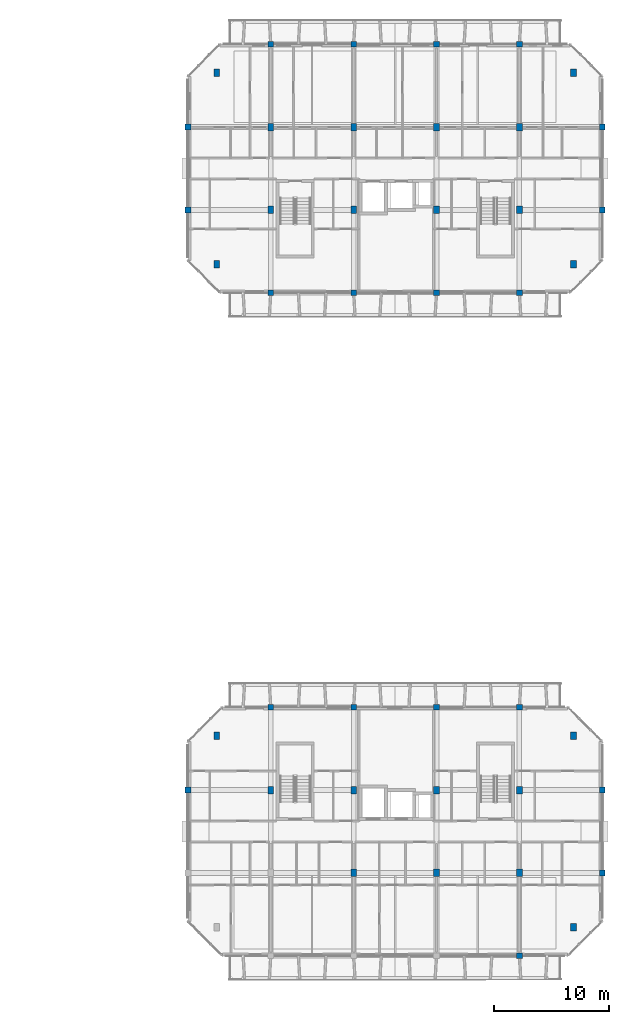
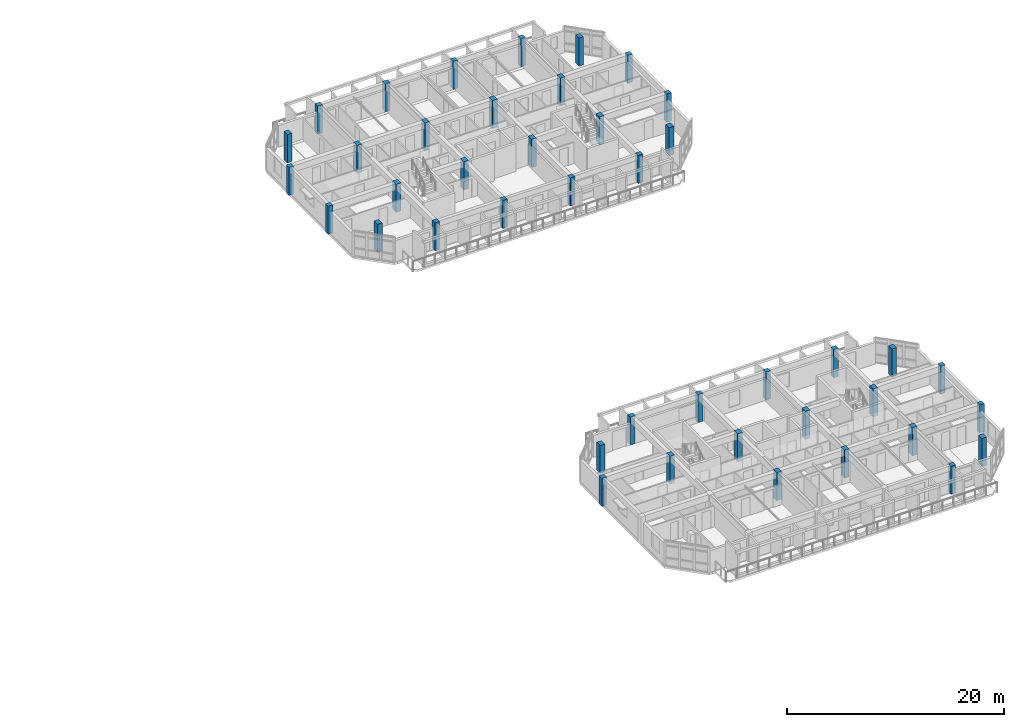
# One storey, part 2 of 40: 42 columns.
"""IFC4 building model written with IfcOpenShell, lengths in metres."""

from ifc_helpers import new_model, si_unit, direction, frame, origin, origin_2d, place, context, subcontext, project, spatial, rectangle, extrude, material, material_profile, profile_set, type_object, element, save


model = new_model("IFC4")

# Units and contexts
model_context = context("Model", 3, precision=1e-05, world=origin(), true_north=direction((0.0, 1.0)))
body_context = subcontext(model_context, "Body", "Model", "MODEL_VIEW")
ifc_project = project(units=[si_unit("LENGTHUNIT", "METRE"), si_unit("AREAUNIT", "SQUARE_METRE"), si_unit("VOLUMEUNIT", "CUBIC_METRE"), si_unit("PLANEANGLEUNIT", "RADIAN"), si_unit("MASSUNIT", "GRAM", prefix="KILO")], contexts=[model_context])

# Site, building, storey
site_placement = place(None, origin())
site = spatial("IfcSite", under=ifc_project, at=site_placement, CompositionType="ELEMENT")
building_placement = place(site_placement, origin())
building = spatial("IfcBuilding", under=site, at=building_placement, Name="Ochrevale Crest", CompositionType="ELEMENT")
storey_placement = place(building_placement, frame((0.0, 0.0, 27.60009765625)))
storey = spatial("IfcBuildingStorey", under=building, at=storey_placement, Name="L08", CompositionType="ELEMENT", Elevation=27.60009765625)

# Columns
ifc_material = material(Name="Precast concrete C50/60", Category="concrete")
ifc_material_profile_1 = material_profile(ifc_material, rectangle(XDim=0.5, YDim=0.5, at=origin_2d()), Name="RC 500x500")
ifc_profile_set_1 = profile_set([ifc_material_profile_1], Name="Precast concrete C50/60")
column_type_1 = type_object("IfcColumnType", Name="COL-RC500x500", PredefinedType="COLUMN", material=ifc_profile_set_1)
for number, where, z_axis, x_axis, name in (
    (1, (129.60009765625, 28.800048828125, 0.0), (0.0, 0.0, 1.0), (1.0, 0.0, 0.0), "Block C L08 column (129.6,28.8)"),
    (2, (136.800048828125, 36.0, 0.0), (0.0, 0.0, 1.0), (1.0, 0.0, 0.0), "Block C L08 column (136.8,36.0)"),
    (3, (144.0, 36.0, 0.0), (0.0, 0.0, 1.0), (1.0, 0.0, 0.0), "Block C L08 column (144.0,36.0)"),
    (4, (151.199951171875, 36.0, 0.0), (0.0, 0.0, 1.0), (1.0, 0.0, 0.0), "Block C L08 column (151.2,36.0)"),
    (5, (158.39990234375, 14.39990234375, 0.0), (0.0, 0.0, 1.0), (1.0, 0.0, 0.0), "Block C L08 column (158.4,14.4)"),
    (6, (158.39990234375, 36.0, 0.0), (0.0, 0.0, 1.0), (1.0, 0.0, 0.0), "Block C L08 column (158.4,36.0)"),
    (7, (165.60009765625, 21.60009765625, 0.0), (0.0, 0.0, 1.0), (1.0, 0.0, 0.0), "Block C L08 column (165.6,21.6)"),
    (8, (165.60009765625, 28.800048828125, 0.0), (0.0, 0.0, 1.0), (1.0, 0.0, 0.0), "Block C L08 column (165.6,28.8)"),
    (9, (129.60009765625, 79.199951171875, 0.0), (0.0, 0.0, 1.0), (1.0, 0.0, 0.0), "Block D L08 column (129.6,79.2)"),
    (10, (129.60009765625, 86.39990234375, 0.0), (0.0, 0.0, 1.0), (1.0, 0.0, 0.0), "Block D L08 column (129.6,86.4)"),
    (11, (136.800048828125, 72.0, 0.0), (0.0, 0.0, 1.0), (1.0, 0.0, 0.0), "Block D L08 column (136.8,72.0)"),
    (12, (136.800048828125, 93.60009765625, 0.0), (0.0, 0.0, 1.0), (1.0, 0.0, 0.0), "Block D L08 column (136.8,93.6)"),
    (13, (144.0, 72.0, 0.0), (0.0, 0.0, 1.0), (1.0, 0.0, 0.0), "Block D L08 column (144.0,72.0)"),
    (14, (144.0, 93.60009765625, 0.0), (0.0, 0.0, 1.0), (1.0, 0.0, 0.0), "Block D L08 column (144.0,93.6)"),
    (15, (151.199951171875, 72.0, 0.0), (0.0, 0.0, 1.0), (1.0, 0.0, 0.0), "Block D L08 column (151.2,72.0)"),
    (16, (151.199951171875, 93.60009765625, 0.0), (0.0, 0.0, 1.0), (1.0, 0.0, 0.0), "Block D L08 column (151.2,93.6)"),
    (17, (158.39990234375, 72.0, 0.0), (0.0, 0.0, 1.0), (1.0, 0.0, 0.0), "Block D L08 column (158.4,72.0)"),
    (18, (158.39990234375, 93.60009765625, 0.0), (0.0, 0.0, 1.0), (1.0, 0.0, 0.0), "Block D L08 column (158.4,93.6)"),
    (19, (165.60009765625, 79.199951171875, 0.0), (0.0, 0.0, 1.0), (1.0, 0.0, 0.0), "Block D L08 column (165.6,79.2)"),
    (20, (165.60009765625, 86.39990234375, 0.0), (0.0, 0.0, 1.0), (1.0, 0.0, 0.0), "Block D L08 column (165.6,86.4)"),
):
    element("IfcColumn", number, at=place(storey_placement, frame(where, z_axis=z_axis, x_axis=x_axis)), inside=storey, type_object=column_type_1, Name=name, PredefinedType="COLUMN", context=body_context, shape_type="SweptSolid", body=[
        extrude(rectangle(XDim=0.5, YDim=0.5, at=origin_2d()), origin(), (0.0, 0.0, 1.0), 3.14990234375),
    ])
ifc_material_profile_2 = material_profile(ifc_material, rectangle(XDim=0.5, YDim=0.64990234375, at=origin_2d()), Name="RC 500x650")
ifc_profile_set_2 = profile_set([ifc_material_profile_2], Name="Precast concrete C50/60")
column_type_2 = type_object("IfcColumnType", Name="COL-RC500x650", PredefinedType="COLUMN", material=ifc_profile_set_2)
for number, where, z_axis, x_axis, name in (
    (21, (132.10009765625, 33.5, 0.0), (0.0, 0.0, 1.0), (1.0, 0.0, 0.0), "Block C L08 column (132.1,33.5)"),
    (22, (136.800048828125, 28.800048828125, 0.0), (0.0, 0.0, 1.0), (1.0, 0.0, 0.0), "Block C L08 column (136.8,28.8)"),
    (23, (144.0, 21.60009765625, 0.0), (0.0, 0.0, 1.0), (1.0, 0.0, 0.0), "Block C L08 column (144.0,21.6)"),
    (24, (144.0, 28.800048828125, 0.0), (0.0, 0.0, 1.0), (1.0, 0.0, 0.0), "Block C L08 column (144.0,28.8)"),
    (25, (151.199951171875, 21.60009765625, 0.0), (0.0, 0.0, 1.0), (1.0, 0.0, 0.0), "Block C L08 column (151.2,21.6)"),
    (26, (151.199951171875, 28.800048828125, 0.0), (0.0, 0.0, 1.0), (1.0, 0.0, 0.0), "Block C L08 column (151.2,28.8)"),
    (27, (158.39990234375, 21.60009765625, 0.0), (0.0, 0.0, 1.0), (1.0, 0.0, 0.0), "Block C L08 column (158.4,21.6)"),
    (28, (158.39990234375, 28.800048828125, 0.0), (0.0, 0.0, 1.0), (1.0, 0.0, 0.0), "Block C L08 column (158.4,28.8)"),
    (29, (163.10009765625, 16.89990234375, 0.0), (0.0, 0.0, 1.0), (1.0, 0.0, 0.0), "Block C L08 column (163.1,16.9)"),
    (30, (163.10009765625, 33.5, 0.0), (0.0, 0.0, 1.0), (1.0, 0.0, 0.0), "Block C L08 column (163.1,33.5)"),
    (31, (132.10009765625, 74.5, 0.0), (0.0, 0.0, 1.0), (1.0, 0.0, 0.0), "Block D L08 column (132.1,74.5)"),
    (32, (132.10009765625, 91.10009765625, 0.0), (0.0, 0.0, 1.0), (1.0, 0.0, 0.0), "Block D L08 column (132.1,91.1)"),
    (33, (136.800048828125, 79.199951171875, 0.0), (0.0, 0.0, 1.0), (1.0, 0.0, 0.0), "Block D L08 column (136.8,79.2)"),
    (34, (136.800048828125, 86.39990234375, 0.0), (0.0, 0.0, 1.0), (1.0, 0.0, 0.0), "Block D L08 column (136.8,86.4)"),
    (35, (144.0, 79.199951171875, 0.0), (0.0, 0.0, 1.0), (1.0, 0.0, 0.0), "Block D L08 column (144.0,79.2)"),
    (36, (144.0, 86.39990234375, 0.0), (0.0, 0.0, 1.0), (1.0, 0.0, 0.0), "Block D L08 column (144.0,86.4)"),
    (37, (151.199951171875, 79.199951171875, 0.0), (0.0, 0.0, 1.0), (1.0, 0.0, 0.0), "Block D L08 column (151.2,79.2)"),
    (38, (151.199951171875, 86.39990234375, 0.0), (0.0, 0.0, 1.0), (1.0, 0.0, 0.0), "Block D L08 column (151.2,86.4)"),
    (39, (158.39990234375, 79.199951171875, 0.0), (0.0, 0.0, 1.0), (1.0, 0.0, 0.0), "Block D L08 column (158.4,79.2)"),
    (40, (158.39990234375, 86.39990234375, 0.0), (0.0, 0.0, 1.0), (1.0, 0.0, 0.0), "Block D L08 column (158.4,86.4)"),
    (41, (163.10009765625, 74.5, 0.0), (0.0, 0.0, 1.0), (1.0, 0.0, 0.0), "Block D L08 column (163.1,74.5)"),
    (42, (163.10009765625, 91.10009765625, 0.0), (0.0, 0.0, 1.0), (1.0, 0.0, 0.0), "Block D L08 column (163.1,91.1)"),
):
    element("IfcColumn", number, at=place(storey_placement, frame(where, z_axis=z_axis, x_axis=x_axis)), inside=storey, type_object=column_type_2, Name=name, PredefinedType="COLUMN", context=body_context, shape_type="SweptSolid", body=[
        extrude(rectangle(XDim=0.5, YDim=0.64990234375, at=origin_2d()), origin(), (0.0, 0.0, 1.0), 3.14990234375),
    ])

save(model, "model.ifc")
